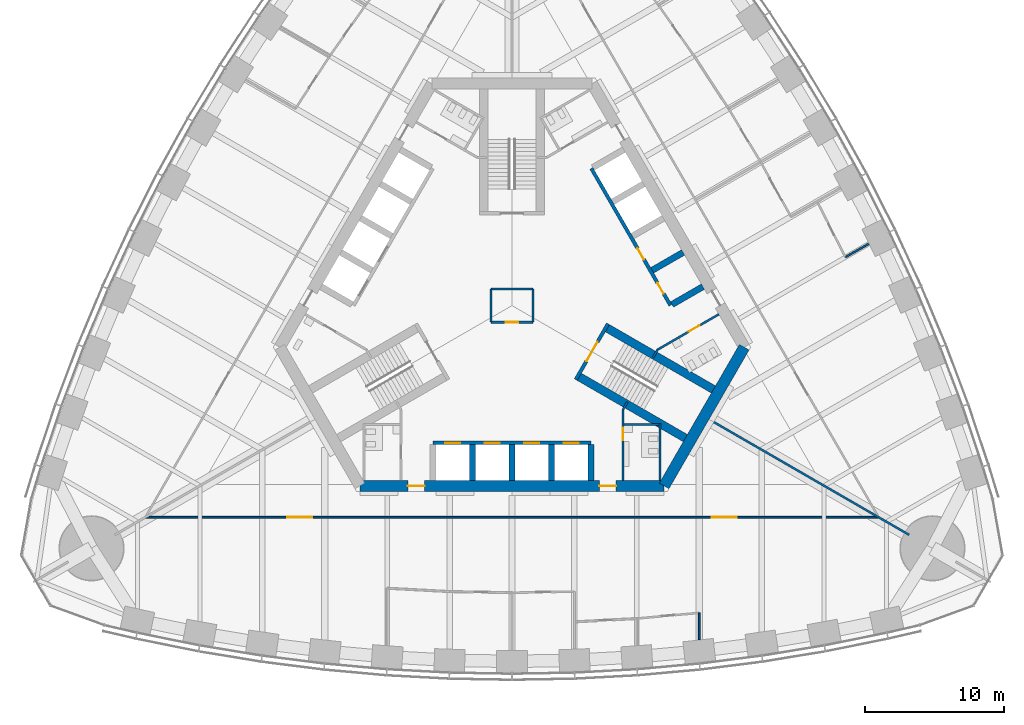
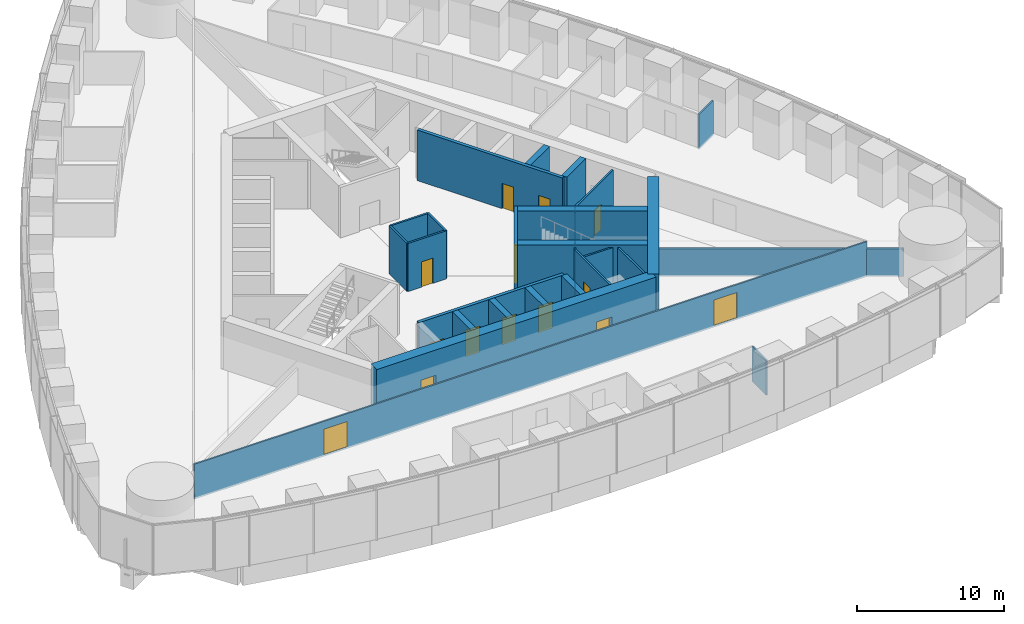
# One storey, part 11 of 18: 27 walls, 14 doors, 14 openings.
"""IFC4 building model written with IfcOpenShell, lengths in metres."""

from ifc_helpers import new_model, si_unit, direction, frame, frame_2d, origin, place, context, subcontext, project, spatial, rectangle, extrude, material, layer, layer_set, type_object, element, fill, save


model = new_model("IFC4")

# Units and contexts
model_context = context("Model", 3, precision=1e-05, world=origin(), true_north=direction((0.0, 1.0)))
body_context = subcontext(model_context, "Body", "Model", "MODEL_VIEW")
ifc_project = project(units=[si_unit("LENGTHUNIT", "METRE"), si_unit("AREAUNIT", "SQUARE_METRE"), si_unit("VOLUMEUNIT", "CUBIC_METRE"), si_unit("PLANEANGLEUNIT", "RADIAN"), si_unit("MASSUNIT", "GRAM", prefix="KILO")], contexts=[model_context])

# Site, building, storey
site_placement = place(None, origin())
site = spatial("IfcSite", under=ifc_project, at=site_placement, CompositionType="ELEMENT")
building_placement = place(site_placement, origin())
building = spatial("IfcBuilding", under=site, at=building_placement, Name="Trefoil Bronze Tower", CompositionType="ELEMENT")
storey_placement = place(building_placement, frame((0.0, 0.0, 115.699951171875)))
storey = spatial("IfcBuildingStorey", under=building, at=storey_placement, Name="L26", CompositionType="ELEMENT", Elevation=115.699951171875)

# Wall, openings, doors
ifc_material_1 = material(Name="Concrete B80", Category="concrete")
ifc_layer_1 = layer(ifc_material_1, 0.800048828125)
ifc_layer_set_1 = layer_set([ifc_layer_1], Name="Core wall 800")
wall_type_1 = type_object("IfcWallType", Name="Core wall 800", PredefinedType="SHEAR", material=ifc_layer_set_1)
wall_1_placement = place(storey_placement, frame((-10.9697265625, -13.0, 0.0), z_axis=(0.0, 0.0, 1.0), x_axis=(1.0, 0.0, 0.0)))
wall_1 = element("IfcWall", 1, at=wall_1_placement, inside=storey, type_object=wall_type_1, Name="Core long wall 1 L26", PredefinedType="SHEAR", context=body_context, shape_type="SweptSolid", body=[
    extrude(rectangle(XDim=21.939453125, YDim=0.800048828125, at=frame_2d((10.9697265625, 0.0))), origin(), (0.0, 0.0, 1.0), 4.199951171875),
])
opening_1_placement = place(wall_1_placement, frame((17.269775390625, 0.0, 0.0)))
opening_1 = element("IfcOpeningElement", 2, at=opening_1_placement, cuts=wall_1, Name="Opening D2", PredefinedType="OPENING", context=body_context, shape_type="SweptSolid", body=[
    extrude(rectangle(XDim=1.199951171875, YDim=2.10009765625, at=frame_2d((0.60009765625, 1.050048828125))), frame((0.0, 0.409912109375, 0.0), z_axis=(0.0, -1.0, 0.0), x_axis=(1.0, 0.0, 0.0)), (0.0, 0.0, 1.0), 0.820068359375),
])
opening_2_placement = place(wall_1_placement, frame((3.4697265625, 0.0, 0.0)))
opening_2 = element("IfcOpeningElement", 3, at=opening_2_placement, cuts=wall_1, Name="Opening D2", PredefinedType="OPENING", context=body_context, shape_type="SweptSolid", body=[
    extrude(rectangle(XDim=1.199951171875, YDim=2.10009765625, at=frame_2d((0.60009765625, 1.050048828125))), frame((0.0, 0.409912109375, 0.0), z_axis=(0.0, -1.0, 0.0), x_axis=(1.0, 0.0, 0.0)), (0.0, 0.0, 1.0), 0.820068359375),
])
ifc_material_2 = material(Name="Steel door", Category="steel")
door_type_1 = type_object("IfcDoorType", Name="Lobby door 1200", OperationType="SINGLE_SWING_RIGHT", PredefinedType="DOOR", material=ifc_material_2)
door_1_placement = place(opening_1_placement, origin())
door_1 = element("IfcDoor", 4, at=door_1_placement, inside=storey, type_object=door_type_1, Name="Lobby door F1+ L26", OperationType="SINGLE_SWING_RIGHT", OverallHeight=2.10009765625, OverallWidth=1.199951171875, PredefinedType="DOOR", context=body_context, shape_type="SweptSolid", body=[
    extrude(rectangle(XDim=1.199951171875, YDim=2.10009765625, at=frame_2d((0.60009765625, 1.050048828125))), frame((0.0, 0.02490234375, 0.0), z_axis=(0.0, -1.0, 0.0), x_axis=(1.0, 0.0, 0.0)), (0.0, 0.0, 1.0), 0.050048828125),
])
fill(opening_1, door_1)
door_2_placement = place(opening_2_placement, origin())
door_2 = element("IfcDoor", 5, at=door_2_placement, inside=storey, type_object=door_type_1, Name="Lobby door F1- L26", OperationType="SINGLE_SWING_LEFT", OverallHeight=2.10009765625, OverallWidth=1.199951171875, PredefinedType="DOOR", context=body_context, shape_type="SweptSolid", body=[
    extrude(rectangle(XDim=1.199951171875, YDim=2.10009765625, at=frame_2d((0.60009765625, 1.050048828125))), frame((0.0, 0.02490234375, 0.0), z_axis=(0.0, -1.0, 0.0), x_axis=(1.0, 0.0, 0.0)), (0.0, 0.0, 1.0), 0.050048828125),
])
fill(opening_2, door_2)

# Wall
wall_2_placement = place(storey_placement, frame((10.9697265625, -13.0, 0.0), z_axis=(0.0, 0.0, 1.0), x_axis=(0.499995765644, 0.866027848477, 0.0)))
element("IfcWall", 6, at=wall_2_placement, inside=storey, type_object=wall_type_1, Name="Core short wall 1 L26", PredefinedType="SHEAR", context=body_context, shape_type="SweptSolid", body=[
    extrude(rectangle(XDim=11.546875, YDim=0.800048828125, at=frame_2d((5.7734375, 0.0))), origin(), (0.0, 0.0, 1.0), 4.199951171875),
])

# Wall, openings, doors
ifc_material_3 = material(Name="Glazed partition", Category="glass")
ifc_layer_2 = layer(ifc_material_3, 0.1201171875)
ifc_layer_set_2 = layer_set([ifc_layer_2], Name="Glazed partition 120")
wall_type_2 = type_object("IfcWallType", Name="Glazed partition 120", PredefinedType="PARTITIONING", material=ifc_layer_set_2)
wall_3_placement = place(storey_placement, frame((-26.398193359375, -15.260009765625, 0.0), z_axis=(0.0, 0.0, 1.0), x_axis=(1.0, 0.0, 0.0)))
wall_3 = element("IfcWall", 7, at=wall_3_placement, inside=storey, type_object=wall_type_2, Name="Partition F1 L26", PredefinedType="PARTITIONING", context=body_context, shape_type="SweptSolid", body=[
    extrude(rectangle(XDim=52.79638671875, YDim=0.1201171875, at=frame_2d((26.398193359375, 0.0))), origin(), (0.0, 0.0, 1.0), 2.900146484375),
])
opening_3_placement = place(wall_3_placement, frame((10.199951171875, 0.0, 0.14990234375)))
opening_3 = element("IfcOpeningElement", 8, at=opening_3_placement, cuts=wall_3, Name="Opening D10", PredefinedType="OPENING", context=body_context, shape_type="SweptSolid", body=[
    extrude(rectangle(XDim=1.800048828125, YDim=2.10009765625, at=frame_2d((0.89990234375, 1.050048828125))), frame((0.0, 0.070068359375, 0.0), z_axis=(0.0, -1.0, 0.0), x_axis=(1.0, 0.0, 0.0)), (0.0, 0.0, 1.0), 0.14013671875),
])
opening_4_placement = place(wall_3_placement, frame((40.800048828125, 0.0, 0.14990234375)))
opening_4 = element("IfcOpeningElement", 9, at=opening_4_placement, cuts=wall_3, Name="Opening D10", PredefinedType="OPENING", context=body_context, shape_type="SweptSolid", body=[
    extrude(rectangle(XDim=1.800048828125, YDim=2.10009765625, at=frame_2d((0.89990234375, 1.050048828125))), frame((0.0, 0.070068359375, 0.0), z_axis=(0.0, -1.0, 0.0), x_axis=(1.0, 0.0, 0.0)), (0.0, 0.0, 1.0), 0.14013671875),
])
ifc_material_4 = material(Name="Timber door", Category="wood")
door_type_2 = type_object("IfcDoorType", Name="Double door 1800", OperationType="DOUBLE_DOOR_SINGLE_SWING", PredefinedType="DOOR", material=ifc_material_4)
door_3_placement = place(opening_3_placement, frame((1.800048828125, 0.0, 0.0), z_axis=(0.0, 0.0, 1.0), x_axis=(-1.0, 0.0, 0.0)))
door_3 = element("IfcDoor", 10, at=door_3_placement, inside=storey, type_object=door_type_2, Name="Corridor door F1 L26", OperationType="DOUBLE_DOOR_SINGLE_SWING", OverallHeight=2.10009765625, OverallWidth=1.800048828125, PredefinedType="DOOR", context=body_context, shape_type="SweptSolid", body=[
    extrude(rectangle(XDim=1.800048828125, YDim=2.10009765625, at=frame_2d((0.89990234375, 1.050048828125))), frame((0.0, 0.02490234375, 0.0), z_axis=(0.0, -1.0, 0.0), x_axis=(1.0, 0.0, 0.0)), (0.0, 0.0, 1.0), 0.050048828125),
])
fill(opening_3, door_3)
door_4_placement = place(opening_4_placement, frame((1.800048828125, 0.0, 0.0), z_axis=(0.0, 0.0, 1.0), x_axis=(-1.0, 0.0, 0.0)))
door_4 = element("IfcDoor", 11, at=door_4_placement, inside=storey, type_object=door_type_2, Name="Corridor door F1 L26", OperationType="DOUBLE_DOOR_SINGLE_SWING", OverallHeight=2.10009765625, OverallWidth=1.800048828125, PredefinedType="DOOR", context=body_context, shape_type="SweptSolid", body=[
    extrude(rectangle(XDim=1.800048828125, YDim=2.10009765625, at=frame_2d((0.89990234375, 1.050048828125))), frame((0.0, 0.02490234375, 0.0), z_axis=(0.0, -1.0, 0.0), x_axis=(1.0, 0.0, 0.0)), (0.0, 0.0, 1.0), 0.050048828125),
])
fill(opening_4, door_4)

# Walls
wall_4_placement = place(storey_placement, frame((13.5, -22.15283203125, 0.0), z_axis=(0.0, 0.0, 1.0), x_axis=(0.0, -1.0, 0.0)))
element("IfcWall", 12, at=wall_4_placement, inside=storey, type_object=wall_type_2, Name="Partition F1 L26", PredefinedType="PARTITIONING", context=body_context, shape_type="SweptSolid", body=[
    extrude(rectangle(XDim=1.92529296875, YDim=0.1201171875, at=frame_2d((0.962646484375, 0.0))), origin(), (0.0, 0.0, 1.0), 2.900146484375),
])
wall_5_placement = place(storey_placement, frame((24.037353515625, 3.48583984375, 0.0), z_axis=(0.0, 0.0, 1.0), x_axis=(0.866040295995, 0.499974205047, 0.0)))
element("IfcWall", 13, at=wall_5_placement, inside=storey, type_object=wall_type_2, Name="Partition F2 L26", PredefinedType="PARTITIONING", context=body_context, shape_type="SweptSolid", body=[
    extrude(rectangle(XDim=1.9306640625, YDim=0.1201171875, at=frame_2d((0.96533203125, 0.0))), origin(), (0.0, 0.0, 1.0), 2.900146484375),
])
ifc_material_5 = material(Name="Concrete B80", Category="concrete")
ifc_layer_3 = layer(ifc_material_5, 0.449951171875)
ifc_layer_set_3 = layer_set([ifc_layer_3], Name="Outrigger shaft wall 450")
wall_type_3 = type_object("IfcWallType", Name="Outrigger shaft wall 450", PredefinedType="SHEAR", material=ifc_layer_set_3)
for number, where, z_axis, x_axis, name in (
    (14, (-2.85009765625, -10.02490234375, 0.0), (0.0, 0.0, 1.0), (0.0, -1.0, 0.0), "Lift shaft side wall A1 L26"),
    (15, (0.0, -10.02490234375, 0.0), (0.0, 0.0, 1.0), (0.0, -1.0, 0.0), "Lift shaft side wall A2 L26"),
    (16, (2.85009765625, -10.02490234375, 0.0), (0.0, 0.0, 1.0), (0.0, -1.0, 0.0), "Lift shaft side wall A3 L26"),
    (17, (5.699951171875, -10.02490234375, 0.0), (0.0, 0.0, 1.0), (0.0, -1.0, 0.0), "Lift shaft side wall A4 L26"),
):
    element("IfcWall", number, at=place(storey_placement, frame(where, z_axis=z_axis, x_axis=x_axis)), inside=storey, type_object=wall_type_3, Name=name, PredefinedType="SHEAR", context=body_context, shape_type="SweptSolid", body=[
        extrude(rectangle(XDim=2.5751953125, YDim=0.449951171875, at=frame_2d((1.28759765625, 0.0))), origin(), (0.0, 0.0, 1.0), 4.199951171875),
    ])
for number, where, z_axis, x_axis, name in (
    (18, (11.531982421875, 0.076171875, 0.0), (0.0, 0.0, 1.0), (0.866005588531, 0.500034319456, 0.0), "Lift shaft side wall B0 L26"),
    (19, (10.10693359375, 2.54443359375, 0.0), (0.0, 0.0, 1.0), (0.866046643894, 0.499963209246, 0.0), "Lift shaft side wall B1 L26"),
):
    element("IfcWall", number, at=place(storey_placement, frame(where, z_axis=z_axis, x_axis=x_axis)), inside=storey, type_object=wall_type_3, Name=name, PredefinedType="SHEAR", context=body_context, shape_type="SweptSolid", body=[
        extrude(rectangle(XDim=2.574951171875, YDim=0.449951171875, at=frame_2d((1.28759765625, 0.0))), origin(), (0.0, 0.0, 1.0), 4.199951171875),
    ])

# Wall, opening, door
ifc_material_6 = material(Name="Gypsum board on steel studs", Category="steel")
ifc_layer_4 = layer(ifc_material_6, 0.14990234375)
ifc_layer_set_4 = layer_set([ifc_layer_4], Name="Partition 150")
wall_type_4 = type_object("IfcWallType", Name="Partition 150", PredefinedType="PARTITIONING", material=ifc_layer_set_4)
wall_6_placement = place(storey_placement, frame((8.0, -7.5, 0.0), z_axis=(0.0, 0.0, 1.0), x_axis=(0.0, -1.0, 0.0)))
wall_6 = element("IfcWall", 20, at=wall_6_placement, inside=storey, type_object=wall_type_4, Name="Passage wall F1+ L26", PredefinedType="PARTITIONING", context=body_context, shape_type="SweptSolid", body=[
    extrude(rectangle(XDim=5.10009765625, YDim=0.14990234375, at=frame_2d((2.550048828125, 0.0))), origin(), (0.0, 0.0, 1.0), 4.0),
])
opening_5_placement = place(wall_6_placement, frame((1.300048828125, 0.0, 0.0)))
opening_5 = element("IfcOpeningElement", 21, at=opening_5_placement, cuts=wall_6, Name="Opening D3", PredefinedType="OPENING", context=body_context, shape_type="SweptSolid", body=[
    extrude(rectangle(XDim=0.89990234375, YDim=2.10009765625, at=frame_2d((0.449951171875, 1.050048828125))), frame((0.0, 0.0849609375, 0.0), z_axis=(0.0, -1.0, 0.0), x_axis=(1.0, 0.0, 0.0)), (0.0, 0.0, 1.0), 0.169921875),
])
ifc_material_7 = material(Name="Timber door", Category="wood")
door_type_3 = type_object("IfcDoorType", Name="WC door 900", OperationType="SINGLE_SWING_LEFT", PredefinedType="DOOR", material=ifc_material_7)
door_5_placement = place(opening_5_placement, origin())
door_5 = element("IfcDoor", 22, at=door_5_placement, inside=storey, type_object=door_type_3, Name="WC (men) door L26", OperationType="SINGLE_SWING_LEFT", OverallHeight=2.10009765625, OverallWidth=0.89990234375, PredefinedType="DOOR", context=body_context, shape_type="SweptSolid", body=[
    extrude(rectangle(XDim=0.89990234375, YDim=2.10009765625, at=frame_2d((0.449951171875, 1.050048828125))), frame((0.0, 0.02490234375, 0.0), z_axis=(0.0, -1.0, 0.0), x_axis=(1.0, 0.0, 0.0)), (0.0, 0.0, 1.0), 0.050048828125),
])
fill(opening_5, door_5)

wall_7_placement = place(storey_placement, frame((10.4951171875, -3.17822265625, 0.0), z_axis=(0.0, 0.0, 1.0), x_axis=(0.86602216432, 0.500005610874, 0.0)))
wall_7 = element("IfcWall", 23, at=wall_7_placement, inside=storey, type_object=wall_type_4, Name="Passage wall F2- L26", PredefinedType="PARTITIONING", context=body_context, shape_type="SweptSolid", body=[
    extrude(rectangle(XDim=5.10009765625, YDim=0.14990234375, at=frame_2d((2.550048828125, 0.0))), origin(), (0.0, 0.0, 1.0), 4.0),
])
opening_6_placement = place(wall_7_placement, frame((2.60009765625, 0.0, 0.0)))
opening_6 = element("IfcOpeningElement", 24, at=opening_6_placement, cuts=wall_7, Name="Opening D3", PredefinedType="OPENING", context=body_context, shape_type="SweptSolid", body=[
    extrude(rectangle(XDim=0.89990234375, YDim=2.10009765625, at=frame_2d((0.449951171875, 1.050048828125))), frame((0.0, 0.0849609375, 0.0), z_axis=(0.0, -1.0, 0.0), x_axis=(1.0, 0.0, 0.0)), (0.0, 0.0, 1.0), 0.169921875),
])
door_6_placement = place(opening_6_placement, frame((0.89990234375, 0.0, 0.0), z_axis=(0.0, 0.0, 1.0), x_axis=(-1.0, 0.0, 0.0)))
door_6 = element("IfcDoor", 25, at=door_6_placement, inside=storey, type_object=door_type_3, Name="WC (women) door L26", OperationType="SINGLE_SWING_LEFT", OverallHeight=2.10009765625, OverallWidth=0.89990234375, PredefinedType="DOOR", context=body_context, shape_type="SweptSolid", body=[
    extrude(rectangle(XDim=0.89990234375, YDim=2.10009765625, at=frame_2d((0.449951171875, 1.050048828125))), frame((0.0, 0.02490234375, 0.0), z_axis=(0.0, -1.0, 0.0), x_axis=(1.0, 0.0, 0.0)), (0.0, 0.0, 1.0), 0.050048828125),
])
fill(opening_6, door_6)

# Walls
for number, where, z_axis, x_axis, name in (
    (26, (8.0, -7.5, 0.0), (0.0, 0.0, 1.0), (0.499842556608, 0.866116284689, 0.0), "WC wall ST1-1 L26"),
    (27, (10.4951171875, -3.17822265625, 0.0), (0.0, 0.0, 1.0), (-0.499842556608, -0.866116284689, 0.0), "WC wall ST1+1 L26"),
):
    element("IfcWall", number, at=place(storey_placement, frame(where, z_axis=z_axis, x_axis=x_axis)), inside=storey, type_object=wall_type_4, Name=name, PredefinedType="PARTITIONING", context=body_context, shape_type="SweptSolid", body=[
        extrude(rectangle(XDim=0.645263671875, YDim=0.14990234375, at=frame_2d((0.32275390625, 0.0))), origin(), (0.0, 0.0, 1.0), 4.0),
    ])
wall_8_placement = place(storey_placement, frame((10.659912109375, -8.5, 0.0), z_axis=(0.0, 0.0, 1.0), x_axis=(0.0, -1.0, 0.0)))
element("IfcWall", 28, at=wall_8_placement, inside=storey, type_object=wall_type_4, Name="WC partition WC (men) L26", PredefinedType="PARTITIONING", context=body_context, shape_type="SweptSolid", body=[
    extrude(rectangle(XDim=4.10009765625, YDim=0.14990234375, at=frame_2d((2.050048828125, 0.0))), origin(), (0.0, 0.0, 1.0), 4.0),
])
wall_9_placement = place(storey_placement, frame((8.074951171875, -8.574951171875, 0.0), z_axis=(0.0, 0.0, 1.0), x_axis=(1.0, 0.0, 0.0)))
element("IfcWall", 29, at=wall_9_placement, inside=storey, type_object=wall_type_4, Name="WC partition WC (men) L26", PredefinedType="PARTITIONING", context=body_context, shape_type="SweptSolid", body=[
    extrude(rectangle(XDim=2.510009765625, YDim=0.14990234375, at=frame_2d((1.2548828125, 0.0))), origin(), (0.0, 0.0, 1.0), 4.0),
])
ifc_material_8 = material(Name="Gypsum board on steel studs", Category="steel")
ifc_layer_5 = layer(ifc_material_8, 0.14990234375)
ifc_layer_set_5 = layer_set([ifc_layer_5], Name="Party wall 150")
wall_type_5 = type_object("IfcWallType", Name="Party wall 150", PredefinedType="PARTITIONING", material=ifc_layer_set_5)
wall_10_placement = place(storey_placement, frame((14.202880859375, -8.199951171875, 0.0), z_axis=(0.0, 0.0, 1.0), x_axis=(0.866024668836, -0.500001272966, 0.0)))
element("IfcWall", 30, at=wall_10_placement, inside=storey, type_object=wall_type_5, Name="Party wall K1 L26", PredefinedType="PARTITIONING", context=body_context, shape_type="SweptSolid", body=[
    extrude(rectangle(XDim=16.64990234375, YDim=0.14990234375, at=frame_2d((8.324951171875, 0.0))), origin(), (0.0, 0.0, 1.0), 2.300048828125),
])

# Wall, opening, door
ifc_material_9 = material(Name="Gypsum board on steel studs", Category="steel")
ifc_layer_6 = layer(ifc_material_9, 0.14990234375)
ifc_layer_set_6 = layer_set([ifc_layer_6], Name="Riser wall 150")
wall_type_6 = type_object("IfcWallType", Name="Riser wall 150", PredefinedType="PARTITIONING", material=ifc_layer_set_6)
wall_11_placement = place(storey_placement, frame((-1.5, -1.199951171875, 0.0), z_axis=(0.0, 0.0, 1.0), x_axis=(1.0, 0.0, 0.0)))
wall_11 = element("IfcWall", 31, at=wall_11_placement, inside=storey, type_object=wall_type_6, Name="Riser wall L26", PredefinedType="PARTITIONING", context=body_context, shape_type="SweptSolid", body=[
    extrude(rectangle(XDim=3.0, YDim=0.14990234375, at=frame_2d((1.5, 0.0))), origin(), (0.0, 0.0, 1.0), 4.0),
])
opening_7_placement = place(wall_11_placement, frame((1.050048828125, 0.0, 0.0)))
opening_7 = element("IfcOpeningElement", 32, at=opening_7_placement, cuts=wall_11, Name="Opening D4", PredefinedType="OPENING", context=body_context, shape_type="SweptSolid", body=[
    extrude(rectangle(XDim=0.89990234375, YDim=2.10009765625, at=frame_2d((0.449951171875, 1.050048828125))), frame((0.0, 0.0849609375, 0.0), z_axis=(0.0, -1.0, 0.0), x_axis=(1.0, 0.0, 0.0)), (0.0, 0.0, 1.0), 0.169921875),
])
ifc_material_10 = material(Name="Steel door", Category="steel")
door_type_4 = type_object("IfcDoorType", Name="Riser door 900", OperationType="SINGLE_SWING_LEFT", PredefinedType="DOOR", material=ifc_material_10)
door_7_placement = place(opening_7_placement, frame((0.89990234375, 0.0, 0.0), z_axis=(0.0, 0.0, 1.0), x_axis=(-1.0, 0.0, 0.0)))
door_7 = element("IfcDoor", 33, at=door_7_placement, inside=storey, type_object=door_type_4, Name="Riser door L26", OperationType="SINGLE_SWING_LEFT", OverallHeight=2.10009765625, OverallWidth=0.89990234375, PredefinedType="DOOR", context=body_context, shape_type="SweptSolid", body=[
    extrude(rectangle(XDim=0.89990234375, YDim=2.10009765625, at=frame_2d((0.449951171875, 1.050048828125))), frame((0.0, 0.02490234375, 0.0), z_axis=(0.0, -1.0, 0.0), x_axis=(1.0, 0.0, 0.0)), (0.0, 0.0, 1.0), 0.050048828125),
])
fill(opening_7, door_7)

# Walls
wall_12_placement = place(storey_placement, frame((1.5, -1.199951171875, 0.0), z_axis=(0.0, 0.0, 1.0), x_axis=(0.0, 1.0, 0.0)))
element("IfcWall", 34, at=wall_12_placement, inside=storey, type_object=wall_type_6, Name="Riser wall L26", PredefinedType="PARTITIONING", context=body_context, shape_type="SweptSolid", body=[
    extrude(rectangle(XDim=2.39990234375, YDim=0.14990234375, at=frame_2d((1.199951171875, 0.0))), origin(), (0.0, 0.0, 1.0), 4.0),
])
wall_13_placement = place(storey_placement, frame((1.5, 1.199951171875, 0.0), z_axis=(0.0, 0.0, 1.0), x_axis=(-1.0, 0.0, 0.0)))
element("IfcWall", 35, at=wall_13_placement, inside=storey, type_object=wall_type_6, Name="Riser wall L26", PredefinedType="PARTITIONING", context=body_context, shape_type="SweptSolid", body=[
    extrude(rectangle(XDim=3.0, YDim=0.14990234375, at=frame_2d((1.5, 0.0))), origin(), (0.0, 0.0, 1.0), 4.0),
])
wall_14_placement = place(storey_placement, frame((-1.5, 1.199951171875, 0.0), z_axis=(0.0, 0.0, 1.0), x_axis=(0.0, -1.0, 0.0)))
element("IfcWall", 36, at=wall_14_placement, inside=storey, type_object=wall_type_6, Name="Riser wall L26", PredefinedType="PARTITIONING", context=body_context, shape_type="SweptSolid", body=[
    extrude(rectangle(XDim=2.39990234375, YDim=0.14990234375, at=frame_2d((1.199951171875, 0.0))), origin(), (0.0, 0.0, 1.0), 4.0),
])

# Wall, openings, doors
ifc_material_11 = material(Name="Concrete B80", Category="concrete")
ifc_layer_7 = layer(ifc_material_11, 0.25)
ifc_layer_set_7 = layer_set([ifc_layer_7], Name="Shaft wall 250")
wall_type_7 = type_object("IfcWallType", Name="Shaft wall 250", PredefinedType="SHEAR", material=ifc_layer_set_7)
wall_15_placement = place(storey_placement, frame((-5.699951171875, -9.89990234375, 0.0), z_axis=(0.0, 0.0, 1.0), x_axis=(1.0, 0.0, 0.0)))
wall_15 = element("IfcWall", 37, at=wall_15_placement, inside=storey, type_object=wall_type_7, Name="Lift shaft front wall A L26", PredefinedType="SHEAR", context=body_context, shape_type="SweptSolid", body=[
    extrude(rectangle(XDim=11.39990234375, YDim=0.25, at=frame_2d((5.699951171875, 0.0))), origin(), (0.0, 0.0, 1.0), 4.199951171875),
])
opening_8_placement = place(wall_15_placement, frame((0.875, 0.0, 0.0)))
opening_8 = element("IfcOpeningElement", 38, at=opening_8_placement, cuts=wall_15, Name="Opening LD-P21", PredefinedType="OPENING", context=body_context, shape_type="SweptSolid", body=[
    extrude(rectangle(XDim=1.10009765625, YDim=2.199951171875, at=frame_2d((0.550048828125, 1.10009765625))), frame((0.0, 0.135009765625, 0.0), z_axis=(0.0, -1.0, 0.0), x_axis=(1.0, 0.0, 0.0)), (0.0, 0.0, 1.0), 0.27001953125),
])
opening_9_placement = place(wall_15_placement, frame((3.72509765625, 0.0, 0.0)))
opening_9 = element("IfcOpeningElement", 39, at=opening_9_placement, cuts=wall_15, Name="Opening LD-P22", PredefinedType="OPENING", context=body_context, shape_type="SweptSolid", body=[
    extrude(rectangle(XDim=1.10009765625, YDim=2.199951171875, at=frame_2d((0.550048828125, 1.10009765625))), frame((0.0, 0.135009765625, 0.0), z_axis=(0.0, -1.0, 0.0), x_axis=(1.0, 0.0, 0.0)), (0.0, 0.0, 1.0), 0.27001953125),
])
opening_10_placement = place(wall_15_placement, frame((6.574951171875, 0.0, 0.0)))
opening_10 = element("IfcOpeningElement", 40, at=opening_10_placement, cuts=wall_15, Name="Opening LD-P23", PredefinedType="OPENING", context=body_context, shape_type="SweptSolid", body=[
    extrude(rectangle(XDim=1.10009765625, YDim=2.199951171875, at=frame_2d((0.550048828125, 1.10009765625))), frame((0.0, 0.135009765625, 0.0), z_axis=(0.0, -1.0, 0.0), x_axis=(1.0, 0.0, 0.0)), (0.0, 0.0, 1.0), 0.27001953125),
])
opening_11_placement = place(wall_15_placement, frame((9.425048828125, 0.0, 0.0)))
opening_11 = element("IfcOpeningElement", 41, at=opening_11_placement, cuts=wall_15, Name="Opening LD-P24", PredefinedType="OPENING", context=body_context, shape_type="SweptSolid", body=[
    extrude(rectangle(XDim=1.10009765625, YDim=2.199951171875, at=frame_2d((0.550048828125, 1.10009765625))), frame((0.0, 0.135009765625, 0.0), z_axis=(0.0, -1.0, 0.0), x_axis=(1.0, 0.0, 0.0)), (0.0, 0.0, 1.0), 0.27001953125),
])
ifc_material_12 = material(Name="Steel door", Category="steel")
door_type_5 = type_object("IfcDoorType", Name="Lift landing door 1100", OperationType="DOUBLE_DOOR_SLIDING", PredefinedType="DOOR", material=ifc_material_12)
door_8_placement = place(opening_8_placement, origin())
door_8 = element("IfcDoor", 42, at=door_8_placement, inside=storey, type_object=door_type_5, Name="Lift P21 landing door L26", OperationType="DOUBLE_DOOR_SLIDING", OverallHeight=2.199951171875, OverallWidth=1.10009765625, PredefinedType="DOOR", context=body_context, shape_type="SweptSolid", body=[
    extrude(rectangle(XDim=1.10009765625, YDim=2.199951171875, at=frame_2d((0.550048828125, 1.10009765625))), frame((0.0, 0.02490234375, 0.0), z_axis=(0.0, -1.0, 0.0), x_axis=(1.0, 0.0, 0.0)), (0.0, 0.0, 1.0), 0.050048828125),
])
fill(opening_8, door_8)
door_9_placement = place(opening_9_placement, origin())
door_9 = element("IfcDoor", 43, at=door_9_placement, inside=storey, type_object=door_type_5, Name="Lift P22 landing door L26", OperationType="DOUBLE_DOOR_SLIDING", OverallHeight=2.199951171875, OverallWidth=1.10009765625, PredefinedType="DOOR", context=body_context, shape_type="SweptSolid", body=[
    extrude(rectangle(XDim=1.10009765625, YDim=2.199951171875, at=frame_2d((0.550048828125, 1.10009765625))), frame((0.0, 0.02490234375, 0.0), z_axis=(0.0, -1.0, 0.0), x_axis=(1.0, 0.0, 0.0)), (0.0, 0.0, 1.0), 0.050048828125),
])
fill(opening_9, door_9)
door_10_placement = place(opening_10_placement, origin())
door_10 = element("IfcDoor", 44, at=door_10_placement, inside=storey, type_object=door_type_5, Name="Lift P23 landing door L26", OperationType="DOUBLE_DOOR_SLIDING", OverallHeight=2.199951171875, OverallWidth=1.10009765625, PredefinedType="DOOR", context=body_context, shape_type="SweptSolid", body=[
    extrude(rectangle(XDim=1.10009765625, YDim=2.199951171875, at=frame_2d((0.550048828125, 1.10009765625))), frame((0.0, 0.02490234375, 0.0), z_axis=(0.0, -1.0, 0.0), x_axis=(1.0, 0.0, 0.0)), (0.0, 0.0, 1.0), 0.050048828125),
])
fill(opening_10, door_10)
door_11_placement = place(opening_11_placement, origin())
door_11 = element("IfcDoor", 45, at=door_11_placement, inside=storey, type_object=door_type_5, Name="Lift P24 landing door L26", OperationType="DOUBLE_DOOR_SLIDING", OverallHeight=2.199951171875, OverallWidth=1.10009765625, PredefinedType="DOOR", context=body_context, shape_type="SweptSolid", body=[
    extrude(rectangle(XDim=1.10009765625, YDim=2.199951171875, at=frame_2d((0.550048828125, 1.10009765625))), frame((0.0, 0.02490234375, 0.0), z_axis=(0.0, -1.0, 0.0), x_axis=(1.0, 0.0, 0.0)), (0.0, 0.0, 1.0), 0.050048828125),
])
fill(opening_11, door_11)

wall_16_placement = place(storey_placement, frame((11.423583984375, 0.013671875, 0.0), z_axis=(0.0, 0.0, 1.0), x_axis=(-0.500001763848, 0.866024385424, 0.0)))
wall_16 = element("IfcWall", 46, at=wall_16_placement, inside=storey, type_object=wall_type_7, Name="Lift shaft front wall B L26", PredefinedType="SHEAR", context=body_context, shape_type="SweptSolid", body=[
    extrude(rectangle(XDim=11.39990234375, YDim=0.25, at=frame_2d((5.699951171875, 0.0))), origin(), (0.0, 0.0, 1.0), 4.199951171875),
])
opening_12_placement = place(wall_16_placement, frame((0.97509765625, 0.0, 0.0)))
opening_12 = element("IfcOpeningElement", 47, at=opening_12_placement, cuts=wall_16, Name="Opening D12", PredefinedType="OPENING", context=body_context, shape_type="SweptSolid", body=[
    extrude(rectangle(XDim=0.89990234375, YDim=2.10009765625, at=frame_2d((0.449951171875, 1.050048828125))), frame((0.0, 0.135009765625, 0.0), z_axis=(0.0, -1.0, 0.0), x_axis=(1.0, 0.0, 0.0)), (0.0, 0.0, 1.0), 0.27001953125),
])
opening_13_placement = place(wall_16_placement, frame((3.824951171875, 0.0, 0.0)))
opening_13 = element("IfcOpeningElement", 48, at=opening_13_placement, cuts=wall_16, Name="Opening D12", PredefinedType="OPENING", context=body_context, shape_type="SweptSolid", body=[
    extrude(rectangle(XDim=0.89990234375, YDim=2.10009765625, at=frame_2d((0.449951171875, 1.050048828125))), frame((0.0, 0.135009765625, 0.0), z_axis=(0.0, -1.0, 0.0), x_axis=(1.0, 0.0, 0.0)), (0.0, 0.0, 1.0), 0.27001953125),
])
ifc_material_13 = material(Name="Steel door", Category="steel")
door_type_6 = type_object("IfcDoorType", Name="Shaft room door 900", OperationType="SINGLE_SWING_LEFT", PredefinedType="DOOR", material=ifc_material_13)
door_12_placement = place(opening_12_placement, frame((0.89990234375, 0.0, 0.0), z_axis=(0.0, 0.0, 1.0), x_axis=(-1.0, 0.0, 0.0)))
door_12 = element("IfcDoor", 49, at=door_12_placement, inside=storey, type_object=door_type_6, Name="Shaft room door B1 L26", OperationType="SINGLE_SWING_LEFT", OverallHeight=2.10009765625, OverallWidth=0.89990234375, PredefinedType="DOOR", context=body_context, shape_type="SweptSolid", body=[
    extrude(rectangle(XDim=0.89990234375, YDim=2.10009765625, at=frame_2d((0.449951171875, 1.050048828125))), frame((0.0, 0.02490234375, 0.0), z_axis=(0.0, -1.0, 0.0), x_axis=(1.0, 0.0, 0.0)), (0.0, 0.0, 1.0), 0.050048828125),
])
fill(opening_12, door_12)
door_13_placement = place(opening_13_placement, frame((0.89990234375, 0.0, 0.0), z_axis=(0.0, 0.0, 1.0), x_axis=(-1.0, 0.0, 0.0)))
door_13 = element("IfcDoor", 50, at=door_13_placement, inside=storey, type_object=door_type_6, Name="Shaft room door B2 L26", OperationType="SINGLE_SWING_RIGHT", OverallHeight=2.10009765625, OverallWidth=0.89990234375, PredefinedType="DOOR", context=body_context, shape_type="SweptSolid", body=[
    extrude(rectangle(XDim=0.89990234375, YDim=2.10009765625, at=frame_2d((0.449951171875, 1.050048828125))), frame((0.0, 0.02490234375, 0.0), z_axis=(0.0, -1.0, 0.0), x_axis=(1.0, 0.0, 0.0)), (0.0, 0.0, 1.0), 0.050048828125),
])
fill(opening_13, door_13)

# Wall, opening, door
wall_17_placement = place(storey_placement, frame((4.5966796875, -5.338623046875, 0.0), z_axis=(0.0, 0.0, 1.0), x_axis=(0.499984536904, 0.866034331223, 0.0)))
wall_17 = element("IfcWall", 51, at=wall_17_placement, inside=storey, type_object=wall_type_7, Name="Stair end wall ST1 L26", PredefinedType="SHEAR", context=body_context, shape_type="SweptSolid", body=[
    extrude(rectangle(XDim=4.650146484375, YDim=0.25, at=frame_2d((2.3251953125, 0.0))), origin(), (0.0, 0.0, 1.0), 4.199951171875),
])
opening_14_placement = place(wall_17_placement, frame((1.52490234375, 0.0, 0.0)))
opening_14 = element("IfcOpeningElement", 52, at=opening_14_placement, cuts=wall_17, Name="Opening D1", PredefinedType="OPENING", context=body_context, shape_type="SweptSolid", body=[
    extrude(rectangle(XDim=1.60009765625, YDim=2.10009765625, at=frame_2d((0.800048828125, 1.050048828125))), frame((0.0, 0.135009765625, 0.0), z_axis=(0.0, -1.0, 0.0), x_axis=(1.0, 0.0, 0.0)), (0.0, 0.0, 1.0), 0.27001953125),
])
ifc_material_14 = material(Name="Steel door", Category="steel")
door_type_7 = type_object("IfcDoorType", Name="Stair door 1600", OperationType="DOUBLE_DOOR_SINGLE_SWING", PredefinedType="DOOR", material=ifc_material_14)
door_14_placement = place(opening_14_placement, frame((1.60009765625, 0.0, 0.0), z_axis=(0.0, 0.0, 1.0), x_axis=(-1.0, 0.0, 0.0)))
door_14 = element("IfcDoor", 53, at=door_14_placement, inside=storey, type_object=door_type_7, Name="Stair door ST1 L26", OperationType="DOUBLE_DOOR_SINGLE_SWING", OverallHeight=2.10009765625, OverallWidth=1.60009765625, PredefinedType="DOOR", context=body_context, shape_type="SweptSolid", body=[
    extrude(rectangle(XDim=1.60009765625, YDim=2.10009765625, at=frame_2d((0.800048828125, 1.050048828125))), frame((0.0, 0.02490234375, 0.0), z_axis=(0.0, -1.0, 0.0), x_axis=(1.0, 0.0, 0.0)), (0.0, 0.0, 1.0), 0.050048828125),
])
fill(opening_14, door_14)

# Walls
ifc_material_15 = material(Name="Concrete B80", Category="concrete")
ifc_layer_8 = layer(ifc_material_15, 0.60009765625)
ifc_layer_set_8 = layer_set([ifc_layer_8], Name="Stair wall 600")
wall_type_8 = type_object("IfcWallType", Name="Stair wall 600", PredefinedType="SHEAR", material=ifc_layer_set_8)
for number, where, z_axis, x_axis, name in (
    (54, (4.638427734375, -5.01611328125, 0.0), (0.0, 0.0, 1.0), (0.866019375473, -0.500010441196, 0.0), "Stair wall ST1 L26"),
    (55, (6.663330078125, -1.5087890625, 0.0), (0.0, 0.0, 1.0), (0.866019375473, -0.500010441196, 0.0), "Stair wall ST1 L26"),
):
    element("IfcWall", number, at=place(storey_placement, frame(where, z_axis=z_axis, x_axis=x_axis)), inside=storey, type_object=wall_type_8, Name=name, PredefinedType="SHEAR", context=body_context, shape_type="SweptSolid", body=[
        extrude(rectangle(XDim=9.074951171875, YDim=0.60009765625, at=frame_2d((4.53759765625, 0.0))), origin(), (0.0, 0.0, 1.0), 4.199951171875),
    ])

save(model, "model.ifc")
